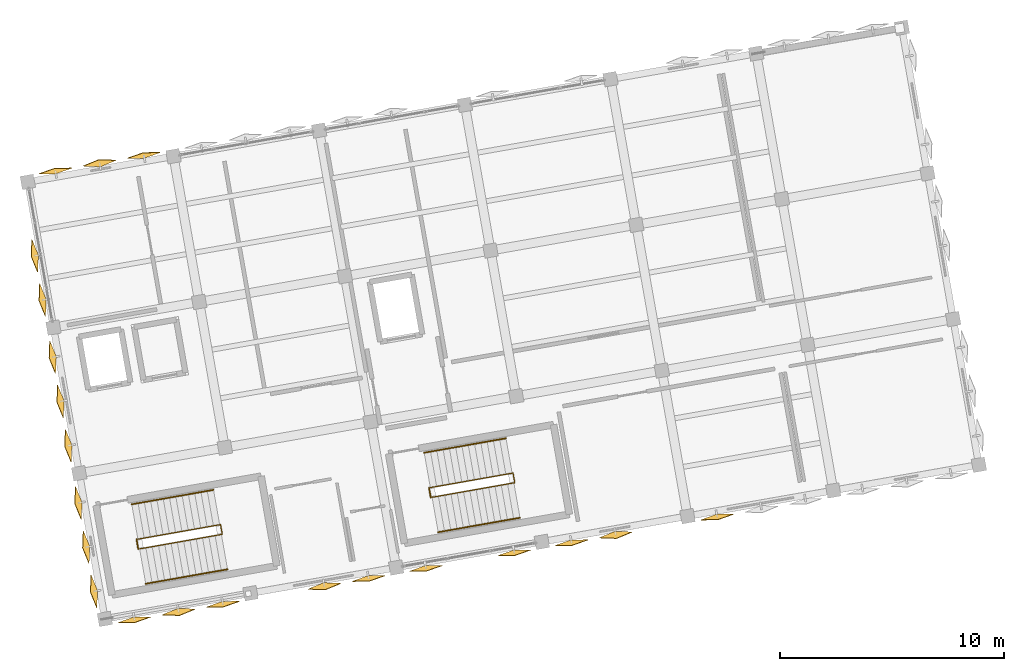
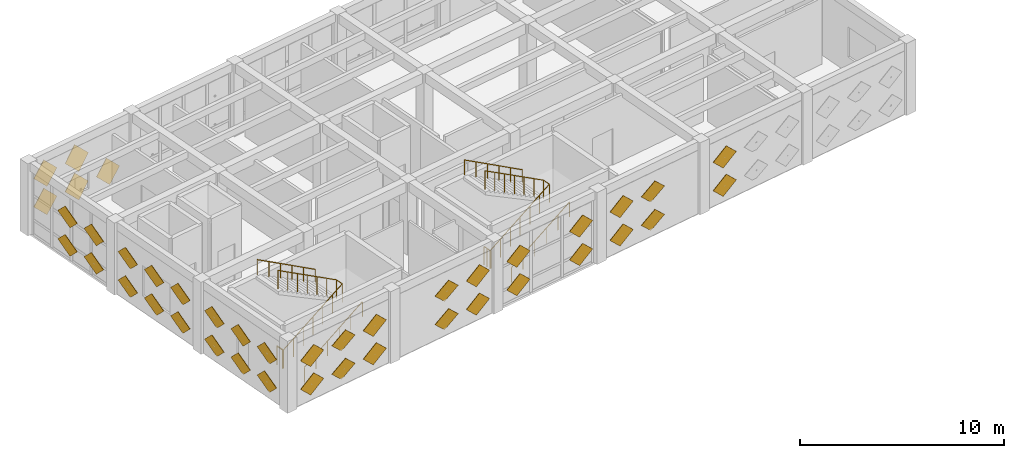
# One storey, part 26 of 29: 41 coverings, 8 railings.
"""IFC4 building model written with IfcOpenShell, lengths in metres."""

import ifcopenshell
import ifcopenshell.guid

model = None  # the IFC model being written
_history = None  # IfcOwnerHistory: only IFC2X3 demands one
_inside = {}  # id of a spatial element -> (the spatial element, [elements in it])
_under = {}  # id of a project, library or spatial element -> (it, [spatial elements below it])
_declared = {}  # id of a project -> (the project, [libraries it declares])
_typed = {}  # id of a type object -> (the type object, [elements of that type])
_made_of = {}  # id of a material, layer set ... -> (it, [elements and type objects made of it])


def new_model(schema):
    """Start an empty IFC model of exactly this schema.

    Asked for "IFC4X3", IfcOpenShell would pick the latest addendum, in which some entities
    have other attributes; the version numbers below select the first issue.
    IFC2X3 requires an IfcOwnerHistory on every rooted entity: one is made here for all.
    """
    global model, _history
    if schema == "IFC4X3":
        model = ifcopenshell.file(schema_version=(4, 3, 0, 0))
    else:
        model = ifcopenshell.file(schema=schema)
    _inside.clear()
    _under.clear()
    _declared.clear()
    _typed.clear()
    _made_of.clear()
    _history = None
    if model.schema == "IFC2X3":
        org = make("IfcOrganization", Name="unknown")
        user = make(
            "IfcPersonAndOrganization",
            ThePerson=make("IfcPerson", FamilyName="unknown"),
            TheOrganization=org,
        )
        app = make(
            "IfcApplication",
            ApplicationDeveloper=org,
            Version="unknown",
            ApplicationFullName="unknown",
            ApplicationIdentifier="unknown",
        )
        _history = make(
            "IfcOwnerHistory",
            OwningUser=user,
            OwningApplication=app,
            ChangeAction="ADDED",
            CreationDate=0,
        )
    return model


def make(cls, **values):
    """One entity of the class cls with the attributes given. An attribute that is None is left unset."""
    return model.create_entity(
        cls, **{name: value for name, value in values.items() if value is not None}
    )


def rooted(cls, **values):
    """An entity with a GlobalId (a new one), such as an element, a storey or a relation."""
    return make(cls, GlobalId=ifcopenshell.guid.new(), OwnerHistory=_history, **values)


def si_unit(unit_type, name, prefix=None):
    """IfcSIUnit, for example si_unit("LENGTHUNIT", "METRE", prefix="MILLI")."""
    return make("IfcSIUnit", UnitType=unit_type, Prefix=prefix, Name=name)


def assignment(units):
    """IfcUnitAssignment: the units of a project."""
    return None if units is None else make("IfcUnitAssignment", Units=units)


def point(xyz):
    """IfcCartesianPoint."""
    return None if xyz is None else make("IfcCartesianPoint", Coordinates=xyz)


def direction(xyz):
    """IfcDirection."""
    return None if xyz is None else make("IfcDirection", DirectionRatios=xyz)


def frame(location, z_axis=None, x_axis=None):
    """IfcAxis2Placement3D, a coordinate frame: its origin and axes. An axis left out is left unset."""
    return make(
        "IfcAxis2Placement3D",
        Location=point(location),
        Axis=direction(z_axis),
        RefDirection=direction(x_axis),
    )


def frame_2d(location, x_axis=None):
    """IfcAxis2Placement2D, a coordinate frame in the plane: its origin and x axis."""
    return make(
        "IfcAxis2Placement2D", Location=point(location), RefDirection=direction(x_axis)
    )


def origin():
    """The frame at (0, 0, 0) with its axes left unset."""
    return frame((0.0, 0.0, 0.0))


def origin_2d():
    """The frame at (0, 0) in the plane with its x axis left unset."""
    return frame_2d((0.0, 0.0))


def place(relative_to, where):
    """IfcLocalPlacement: puts the frame where relative to a parent placement (None: the world)."""
    return make(
        "IfcLocalPlacement", PlacementRelTo=relative_to, RelativePlacement=where
    )


def context(
    kind, dimensions, precision=None, world=None, true_north=None, identifier=None
):
    """IfcGeometricRepresentationContext, for example the 3D "Model" context."""
    return make(
        "IfcGeometricRepresentationContext",
        ContextIdentifier=identifier,
        ContextType=kind,
        CoordinateSpaceDimension=dimensions,
        Precision=precision,
        WorldCoordinateSystem=world,
        TrueNorth=true_north,
    )


def subcontext(parent, identifier, kind, view, scale=None):
    """IfcGeometricRepresentationSubContext, for example "Body" below "Model"."""
    return make(
        "IfcGeometricRepresentationSubContext",
        ContextIdentifier=identifier,
        ContextType=kind,
        ParentContext=parent,
        TargetScale=scale,
        TargetView=view,
    )


def project(units=None, contexts=None):
    """IfcProject with its units and contexts."""
    return rooted(
        "IfcProject",
        Name="project",
        RepresentationContexts=contexts,
        UnitsInContext=assignment(units),
    )


def spatial(cls, under=None, at=None, **own):
    """A site, building, storey or space (cls), placed at a placement, below another one or the project."""
    s = rooted(cls, ObjectPlacement=at, **own)
    if under is not None:
        _under.setdefault(under.id(), (under, []))[1].append(s)
    return s


def polyline(points):
    """IfcPolyline through the points."""
    return make("IfcPolyline", Points=[point(p) for p in points])


def profile(cls, at=None, kind="AREA", **sizes):
    """A parametric profile (cls). Its sizes go by their IFC names, for example OverallWidth=200.0."""
    return make(cls, ProfileType=kind, Position=at, **sizes)


def circle(**sizes):
    """IfcCircleProfileDef."""
    return profile("IfcCircleProfileDef", **sizes)


def outline(outer, holes=None, kind="AREA"):
    """IfcArbitraryClosedProfileDef: a profile drawn as a closed curve; with holes, ...WithVoids."""
    if holes is None:
        return make("IfcArbitraryClosedProfileDef", ProfileType=kind, OuterCurve=outer)
    return make(
        "IfcArbitraryProfileDefWithVoids",
        ProfileType=kind,
        OuterCurve=outer,
        InnerCurves=holes,
    )


def extrude(swept, where, along, depth):
    """IfcExtrudedAreaSolid: the profile swept, set in the frame where, extruded along a direction by depth."""
    return make(
        "IfcExtrudedAreaSolid",
        SweptArea=swept,
        Position=where,
        ExtrudedDirection=direction(along),
        Depth=depth,
    )


def shape(context_of_items, identifier, shape_type, items):
    """IfcShapeRepresentation: the items that make up one representation, for example the "Body"."""
    return make(
        "IfcShapeRepresentation",
        ContextOfItems=context_of_items,
        RepresentationIdentifier=identifier,
        RepresentationType=shape_type,
        Items=items,
    )


def material(Name=None, Category=None):
    """IfcMaterial."""
    return make("IfcMaterial", Name=Name, Category=Category)


def made_of(thing, what):
    """Note that an element or type object is made of a material, layer set ...; save() writes the relation."""
    if what is not None:
        _made_of.setdefault(what.id(), (what, []))[1].append(thing)
    return thing


def type_object(cls, material=None, **own):
    """A type object (cls), such as IfcWallType, which elements share."""
    return made_of(rooted(cls, **own), material)


def element(
    cls,
    number,
    at=None,
    inside=None,
    cuts=None,
    type_object=None,
    material=None,
    context=None,
    identifier="Body",
    shape_type=None,
    held_by="IfcProductDefinitionShape",
    body=None,
    shapes=None,
    **own,
):
    """One element of the class cls, such as IfcWall. Its Tag is "e" and its number.

    at: its placement. inside: the storey or other place that contains it. cuts: it is an
    opening in that element (IfcRelVoidsElement). A single representation is given by context,
    identifier, shape_type and body (its items); several are given by shapes. held_by: the class
    of the entity that holds the representations. save() writes the other relations.
    """
    e = rooted(cls, Tag="e%d" % number, ObjectPlacement=at, **own)
    if body is not None:
        shapes = [shape(context, identifier, shape_type, body)]
    if shapes is not None:
        e.Representation = make(held_by, Representations=shapes)
    if inside is not None:
        _inside.setdefault(inside.id(), (inside, []))[1].append(e)
    if cuts is not None:
        rooted(
            "IfcRelVoidsElement", RelatingBuildingElement=cuts, RelatedOpeningElement=e
        )
    if type_object is not None:
        _typed.setdefault(type_object.id(), (type_object, []))[1].append(e)
    return made_of(e, material)


def aggregate(whole, parts):
    """IfcRelAggregates: a whole, such as a stair, and the parts it consists of."""
    return rooted("IfcRelAggregates", RelatingObject=whole, RelatedObjects=parts)


def save(model, path):
    """Write the relations noted so far, then the file.

    IfcRelAggregates (storeys below a building ...), IfcRelContainedInSpatialStructure (elements
    in a storey), IfcRelDefinesByType, IfcRelAssociatesMaterial and IfcRelDeclares: one each for
    every whole, place, type object, material and project.
    """
    for whole, parts in _under.values():
        aggregate(whole, parts)
    for where, things in _inside.values():
        rooted(
            "IfcRelContainedInSpatialStructure",
            RelatedElements=things,
            RelatingStructure=where,
        )
    for kind, things in _typed.values():
        rooted("IfcRelDefinesByType", RelatedObjects=things, RelatingType=kind)
    for what, things in _made_of.values():
        rooted("IfcRelAssociatesMaterial", RelatedObjects=things, RelatingMaterial=what)
    for by, libraries in _declared.values():
        rooted("IfcRelDeclares", RelatingContext=by, RelatedDefinitions=libraries)
    model.write(path)


model = new_model("IFC4")

# Units and contexts
model_context = context("Model", 3, precision=1e-05, world=origin(), true_north=direction((0.0, 1.0)))
body_context = subcontext(model_context, "Body", "Model", "MODEL_VIEW")
ifc_project = project(units=[si_unit("LENGTHUNIT", "METRE"), si_unit("AREAUNIT", "SQUARE_METRE"), si_unit("VOLUMEUNIT", "CUBIC_METRE"), si_unit("PLANEANGLEUNIT", "RADIAN"), si_unit("MASSUNIT", "GRAM", prefix="KILO")], contexts=[model_context])

# Site, building, storey
site_placement = place(None, origin())
site = spatial("IfcSite", under=ifc_project, at=site_placement, CompositionType="ELEMENT")
building_placement = place(site_placement, origin())
building = spatial("IfcBuilding", under=site, at=building_placement, Name="Kharisveld Research Institute", CompositionType="ELEMENT")
storey_placement = place(building_placement, frame((0.0, 0.0, 32.10009765625)))
storey = spatial("IfcBuildingStorey", under=building, at=storey_placement, Name="L07", CompositionType="ELEMENT", Elevation=32.10009765625)

# Railings
ifc_material_1 = material(Name="Steel S355JR", Category="steel")
railing_type_1 = type_object("IfcRailingType", Name="RL_GRD_STR", PredefinedType="GUARDRAIL", material=ifc_material_1)
railing_1_placement = place(storey_placement, frame((6.75048828125, 38.13671875, 0.0)))
element("IfcRailing", 1, at=railing_1_placement, inside=storey, type_object=railing_type_1, Name="RLG:ST1:L07:GRD_SLOT", PredefinedType="GUARDRAIL", context=body_context, shape_type="SweptSolid", body=[
    extrude(circle(Radius=0.02392578125, at=origin_2d()), frame((0.0, 0.0, 1.09619140625), z_axis=(0.84417332575, 0.148863291176, 0.514986520826), x_axis=(-0.173662611611, 0.984805207809, 0.0)), (0.0, 0.0, 1.0), 4.369140625),
    extrude(circle(Radius=0.02392578125, at=origin_2d()), frame((3.688232421875, 0.650390625, 3.34619140625), z_axis=(-0.173658729201, 0.984805892434, 0.0), x_axis=(-0.984805892434, -0.173658729201, 0.0)), (0.0, 0.0, 1.0), 0.43994140625),
    extrude(circle(Radius=0.02392578125, at=origin_2d()), frame((3.61181640625, 1.083740234375, 3.34619140625), z_axis=(-0.844157266411, -0.148870313632, 0.515010814726), x_axis=(0.173673761132, -0.984803241614, 0.0)), (0.0, 0.0, 1.0), 4.368896484375),
    extrude(circle(Radius=0.02099609375, at=origin_2d()), origin(), (0.0, 0.0, 1.0), 1.072021484375),
    extrude(circle(Radius=0.02099609375, at=origin_2d()), frame((0.61474609375, 0.1083984375, 0.375)), (0.0, 0.0, 1.0), 1.072021484375),
    extrude(circle(Radius=0.02099609375, at=origin_2d()), frame((1.2294921875, 0.216796875, 0.75)), (0.0, 0.0, 1.0), 1.072021484375),
    extrude(circle(Radius=0.02099609375, at=origin_2d()), frame((1.84423828125, 0.3251953125, 1.125)), (0.0, 0.0, 1.0), 1.072021484375),
    extrude(circle(Radius=0.02099609375, at=origin_2d()), frame((2.458740234375, 0.43359375, 1.5)), (0.0, 0.0, 1.0), 1.072021484375),
    extrude(circle(Radius=0.02099609375, at=origin_2d()), frame((3.073486328125, 0.5419921875, 1.875)), (0.0, 0.0, 1.0), 1.072021484375),
    extrude(circle(Radius=0.02099609375, at=origin_2d()), frame((3.688232421875, 0.650390625, 2.25)), (0.0, 0.0, 1.0), 1.072021484375),
    extrude(circle(Radius=0.02099609375, at=origin_2d()), frame((3.61181640625, 1.083740234375, 2.25)), (0.0, 0.0, 1.0), 1.072021484375),
    extrude(circle(Radius=0.02099609375, at=origin_2d()), frame((2.9970703125, 0.975341796875, 2.625)), (0.0, 0.0, 1.0), 1.072021484375),
    extrude(circle(Radius=0.02099609375, at=origin_2d()), frame((2.382568359375, 0.866943359375, 3.0)), (0.0, 0.0, 1.0), 1.072021484375),
    extrude(circle(Radius=0.02099609375, at=origin_2d()), frame((1.767822265625, 0.758544921875, 3.375)), (0.0, 0.0, 1.0), 1.072021484375),
    extrude(circle(Radius=0.02099609375, at=origin_2d()), frame((1.153076171875, 0.650146484375, 3.75)), (0.0, 0.0, 1.0), 1.072021484375),
    extrude(circle(Radius=0.02099609375, at=origin_2d()), frame((0.53857421875, 0.541748046875, 4.125)), (0.0, 0.0, 1.0), 1.072021484375),
    extrude(circle(Radius=0.02099609375, at=origin_2d()), frame((-0.076171875, 0.433349609375, 4.5)), (0.0, 0.0, 1.0), 1.072021484375),
])
railing_2_placement = place(storey_placement, frame((6.69140625, 38.12646484375, 0.0)))
element("IfcRailing", 2, at=railing_2_placement, inside=storey, type_object=railing_type_1, Name="RLG:ST1:L07:GRD_FLRSLOT", PredefinedType="GUARDRAIL", context=body_context, shape_type="SweptSolid", body=[
    extrude(circle(Radius=0.02392578125, at=origin_2d()), frame((0.0, 0.0, 1.09619140625), z_axis=(-0.173753665698, 0.984789146801, 0.0), x_axis=(-0.984789146801, -0.173753665698, 0.0)), (0.0, 0.0, 1.0), 0.439697265625),
    extrude(circle(Radius=0.02099609375, at=origin_2d()), origin(), (0.0, 0.0, 1.0), 1.072021484375),
    extrude(circle(Radius=0.02099609375, at=origin_2d()), frame((-0.076416015625, 0.43310546875, 0.0)), (0.0, 0.0, 1.0), 1.072021484375),
])
railing_3_placement = place(storey_placement, frame((19.79931640625, 40.4375, 0.0)))
element("IfcRailing", 3, at=railing_3_placement, inside=storey, type_object=railing_type_1, Name="RLG:ST2:L07:GRD_SLOT", PredefinedType="GUARDRAIL", context=body_context, shape_type="SweptSolid", body=[
    extrude(circle(Radius=0.02392578125, at=origin_2d()), frame((0.0, 0.0, 1.09619140625), z_axis=(0.844157266411, 0.148870313632, 0.515010814726), x_axis=(-0.173673761132, 0.984803241614, 0.0)), (0.0, 0.0, 1.0), 4.368896484375),
    extrude(circle(Radius=0.02392578125, at=origin_2d()), frame((3.68798828125, 0.650390625, 3.34619140625), z_axis=(-0.173658729201, 0.984805892434, 0.0), x_axis=(-0.984805892434, -0.173658729201, 0.0)), (0.0, 0.0, 1.0), 0.43994140625),
    extrude(circle(Radius=0.02392578125, at=origin_2d()), frame((3.611572265625, 1.083740234375, 3.34619140625), z_axis=(-0.844157266411, -0.148870313632, 0.515010814726), x_axis=(0.173673761132, -0.984803241614, 0.0)), (0.0, 0.0, 1.0), 4.368896484375),
    extrude(circle(Radius=0.02099609375, at=origin_2d()), origin(), (0.0, 0.0, 1.0), 1.072021484375),
    extrude(circle(Radius=0.02099609375, at=origin_2d()), frame((0.61474609375, 0.1083984375, 0.375)), (0.0, 0.0, 1.0), 1.072021484375),
    extrude(circle(Radius=0.02099609375, at=origin_2d()), frame((1.229248046875, 0.216796875, 0.75)), (0.0, 0.0, 1.0), 1.072021484375),
    extrude(circle(Radius=0.02099609375, at=origin_2d()), frame((1.843994140625, 0.3251953125, 1.125)), (0.0, 0.0, 1.0), 1.072021484375),
    extrude(circle(Radius=0.02099609375, at=origin_2d()), frame((2.458740234375, 0.43359375, 1.5)), (0.0, 0.0, 1.0), 1.072021484375),
    extrude(circle(Radius=0.02099609375, at=origin_2d()), frame((3.0732421875, 0.5419921875, 1.875)), (0.0, 0.0, 1.0), 1.072021484375),
    extrude(circle(Radius=0.02099609375, at=origin_2d()), frame((3.68798828125, 0.650390625, 2.25)), (0.0, 0.0, 1.0), 1.072021484375),
    extrude(circle(Radius=0.02099609375, at=origin_2d()), frame((3.611572265625, 1.083740234375, 2.25)), (0.0, 0.0, 1.0), 1.072021484375),
    extrude(circle(Radius=0.02099609375, at=origin_2d()), frame((2.996826171875, 0.975341796875, 2.625)), (0.0, 0.0, 1.0), 1.072021484375),
    extrude(circle(Radius=0.02099609375, at=origin_2d()), frame((2.38232421875, 0.866943359375, 3.0)), (0.0, 0.0, 1.0), 1.072021484375),
    extrude(circle(Radius=0.02099609375, at=origin_2d()), frame((1.767578125, 0.758544921875, 3.375)), (0.0, 0.0, 1.0), 1.072021484375),
    extrude(circle(Radius=0.02099609375, at=origin_2d()), frame((1.15283203125, 0.650146484375, 3.75)), (0.0, 0.0, 1.0), 1.072021484375),
    extrude(circle(Radius=0.02099609375, at=origin_2d()), frame((0.538330078125, 0.541748046875, 4.125)), (0.0, 0.0, 1.0), 1.072021484375),
    extrude(circle(Radius=0.02099609375, at=origin_2d()), frame((-0.076416015625, 0.433349609375, 4.5)), (0.0, 0.0, 1.0), 1.072021484375),
])
railing_4_placement = place(storey_placement, frame((19.740234375, 40.42724609375, 0.0)))
element("IfcRailing", 4, at=railing_4_placement, inside=storey, type_object=railing_type_1, Name="RLG:ST2:L07:GRD_FLRSLOT", PredefinedType="GUARDRAIL", context=body_context, shape_type="SweptSolid", body=[
    extrude(circle(Radius=0.02392578125, at=origin_2d()), frame((0.0, 0.0, 1.09619140625), z_axis=(-0.173658729201, 0.984805892434, 0.0), x_axis=(-0.984805892434, -0.173658729201, 0.0)), (0.0, 0.0, 1.0), 0.43994140625),
    extrude(circle(Radius=0.02099609375, at=origin_2d()), origin(), (0.0, 0.0, 1.0), 1.072021484375),
    extrude(circle(Radius=0.02099609375, at=origin_2d()), frame((-0.0380859375, 0.216796875, 0.0)), (0.0, 0.0, 1.0), 1.072021484375),
    extrude(circle(Radius=0.02099609375, at=origin_2d()), frame((-0.076416015625, 0.433349609375, 0.0)), (0.0, 0.0, 1.0), 1.072021484375),
])
ifc_material_2 = material(Name="Stainless Steel 316", Category="steel")
railing_type_2 = type_object("IfcRailingType", Name="RL_HND_STR", PredefinedType="HANDRAIL", material=ifc_material_2)
railing_5_placement = place(storey_placement, frame((7.02490234375, 36.580810546875, 0.0)))
element("IfcRailing", 5, at=railing_5_placement, inside=storey, type_object=railing_type_2, Name="RLG:ST1:L07:HR1", PredefinedType="HANDRAIL", context=body_context, shape_type="SweptSolid", body=[
    extrude(circle(Radius=0.02392578125, at=origin_2d()), frame((0.0, 0.0, 0.89599609375), z_axis=(0.841746897377, 0.148411045473, 0.519072559801), x_axis=(-0.173634966033, 0.984810082488, 0.0)), (0.0, 0.0, 1.0), 4.334716796875),
    extrude(circle(Radius=0.02099609375, at=origin_2d()), origin(), (0.0, 0.0, 1.0), 0.871826171875),
    extrude(circle(Radius=0.02099609375, at=origin_2d()), frame((0.729736328125, 0.128662109375, 0.449951171875)), (0.0, 0.0, 1.0), 0.871826171875),
    extrude(circle(Radius=0.02099609375, at=origin_2d()), frame((1.45947265625, 0.25732421875, 0.89990234375)), (0.0, 0.0, 1.0), 0.871826171875),
    extrude(circle(Radius=0.02099609375, at=origin_2d()), frame((2.189208984375, 0.385986328125, 1.35009765625)), (0.0, 0.0, 1.0), 0.871826171875),
    extrude(circle(Radius=0.02099609375, at=origin_2d()), frame((2.9189453125, 0.5146484375, 1.800048828125)), (0.0, 0.0, 1.0), 0.871826171875),
    extrude(circle(Radius=0.02099609375, at=origin_2d()), frame((3.648681640625, 0.643310546875, 2.25)), (0.0, 0.0, 1.0), 0.871826171875),
])
railing_6_placement = place(storey_placement, frame((10.048583984375, 40.76953125, 2.25)))
element("IfcRailing", 6, at=railing_6_placement, inside=storey, type_object=railing_type_2, Name="RLG:ST1:L07:HR2", PredefinedType="HANDRAIL", context=body_context, shape_type="SweptSolid", body=[
    extrude(circle(Radius=0.02392578125, at=origin_2d()), frame((0.0, 0.0, 0.89599609375), z_axis=(-0.841739860008, -0.148466127198, 0.519068220129), x_axis=(0.173698873865, -0.984798812559, 0.0)), (0.0, 0.0, 1.0), 4.334716796875),
    extrude(circle(Radius=0.02099609375, at=origin_2d()), origin(), (0.0, 0.0, 1.0), 0.871826171875),
    extrude(circle(Radius=0.02099609375, at=origin_2d()), frame((-0.729736328125, -0.128662109375, 0.449951171875)), (0.0, 0.0, 1.0), 0.871826171875),
    extrude(circle(Radius=0.02099609375, at=origin_2d()), frame((-1.45947265625, -0.25732421875, 0.89990234375)), (0.0, 0.0, 1.0), 0.871826171875),
    extrude(circle(Radius=0.02099609375, at=origin_2d()), frame((-2.189208984375, -0.38623046875, 1.35009765625)), (0.0, 0.0, 1.0), 0.871826171875),
    extrude(circle(Radius=0.02099609375, at=origin_2d()), frame((-2.9189453125, -0.514892578125, 1.800048828125)), (0.0, 0.0, 1.0), 0.871826171875),
    extrude(circle(Radius=0.02099609375, at=origin_2d()), frame((-3.648681640625, -0.6435546875, 2.25)), (0.0, 0.0, 1.0), 0.871826171875),
])
railing_7_placement = place(storey_placement, frame((20.07373046875, 38.881591796875, 0.0)))
element("IfcRailing", 7, at=railing_7_placement, inside=storey, type_object=railing_type_2, Name="RLG:ST2:L07:HR1", PredefinedType="HANDRAIL", context=body_context, shape_type="SweptSolid", body=[
    extrude(circle(Radius=0.02392578125, at=origin_2d()), frame((0.0, 0.0, 0.89599609375), z_axis=(0.841746897377, 0.148411045473, 0.519072559801), x_axis=(-0.173634966033, 0.984810082488, 0.0)), (0.0, 0.0, 1.0), 4.334716796875),
    extrude(circle(Radius=0.02099609375, at=origin_2d()), origin(), (0.0, 0.0, 1.0), 0.871826171875),
    extrude(circle(Radius=0.02099609375, at=origin_2d()), frame((0.729736328125, 0.128662109375, 0.449951171875)), (0.0, 0.0, 1.0), 0.871826171875),
    extrude(circle(Radius=0.02099609375, at=origin_2d()), frame((1.45947265625, 0.25732421875, 0.89990234375)), (0.0, 0.0, 1.0), 0.871826171875),
    extrude(circle(Radius=0.02099609375, at=origin_2d()), frame((2.189208984375, 0.385986328125, 1.35009765625)), (0.0, 0.0, 1.0), 0.871826171875),
    extrude(circle(Radius=0.02099609375, at=origin_2d()), frame((2.9189453125, 0.5146484375, 1.800048828125)), (0.0, 0.0, 1.0), 0.871826171875),
    extrude(circle(Radius=0.02099609375, at=origin_2d()), frame((3.648681640625, 0.643310546875, 2.25)), (0.0, 0.0, 1.0), 0.871826171875),
])
railing_8_placement = place(storey_placement, frame((23.09716796875, 43.0703125, 2.25)))
element("IfcRailing", 8, at=railing_8_placement, inside=storey, type_object=railing_type_2, Name="RLG:ST2:L07:HR2", PredefinedType="HANDRAIL", context=body_context, shape_type="SweptSolid", body=[
    extrude(circle(Radius=0.02392578125, at=origin_2d()), frame((0.0, 0.0, 0.89599609375), z_axis=(-0.841746897377, -0.148411045473, 0.519072559801), x_axis=(0.173634966033, -0.984810082488, 0.0)), (0.0, 0.0, 1.0), 4.334716796875),
    extrude(circle(Radius=0.02099609375, at=origin_2d()), origin(), (0.0, 0.0, 1.0), 0.871826171875),
    extrude(circle(Radius=0.02099609375, at=origin_2d()), frame((-0.729736328125, -0.128662109375, 0.449951171875)), (0.0, 0.0, 1.0), 0.871826171875),
    extrude(circle(Radius=0.02099609375, at=origin_2d()), frame((-1.45947265625, -0.25732421875, 0.89990234375)), (0.0, 0.0, 1.0), 0.871826171875),
    extrude(circle(Radius=0.02099609375, at=origin_2d()), frame((-2.189208984375, -0.385986328125, 1.35009765625)), (0.0, 0.0, 1.0), 0.871826171875),
    extrude(circle(Radius=0.02099609375, at=origin_2d()), frame((-2.9189453125, -0.5146484375, 1.800048828125)), (0.0, 0.0, 1.0), 0.871826171875),
    extrude(circle(Radius=0.02099609375, at=origin_2d()), frame((-3.648681640625, -0.643310546875, 2.25)), (0.0, 0.0, 1.0), 0.871826171875),
])

# Coverings
ifc_material_3 = material(Name="White Powder-Coated Perforated Aluminium", Category="aluminium")
covering_type = type_object("IfcCoveringType", Name="CV_DIA_105", PredefinedType="CLADDING")
for number, where, z_axis, x_axis, name in (
    (9, (4.876953125, 36.269775390625, 0.324951171875), (0.961476347302, 0.169530643305, 0.21638529192), (-0.273471090272, 0.669725119033, 0.690421485559), "SHD:V1:L07:W0:S0C0"),
    (10, (4.876953125, 36.269775390625, 2.025146484375), (0.961476347302, 0.169530643305, 0.21638529192), (-0.273471090272, 0.669725119033, 0.690421485559), "SHD:V1:L07:W0:S0C1"),
    (11, (4.529052734375, 38.24267578125, 0.324951171875), (0.961476347302, 0.169530643305, 0.21638529192), (-0.273471090272, 0.669725119033, 0.690421485559), "SHD:V1:L07:W0:S1C0"),
    (12, (4.529052734375, 38.24267578125, 2.025146484375), (0.961476347302, 0.169530643305, 0.21638529192), (-0.273471090272, 0.669725119033, 0.690421485559), "SHD:V1:L07:W0:S1C1"),
):
    element("IfcCovering", number, at=place(storey_placement, frame(where, z_axis=z_axis, x_axis=x_axis)), inside=storey, type_object=covering_type, material=ifc_material_3, Name=name, PredefinedType="CLADDING", context=body_context, shape_type="SweptSolid", body=[
        extrude(outline(polyline([(0.0, 0.0), (1.0498710291992122, 0.0), (1.0499937163043682, 1.0499534820137317), (0.00012268710515594972, 1.049953482013732), (0.0, 0.0)])), origin(), (0.0, 0.0, -1.0), 0.02392578125),
    ])
for number, where, z_axis, x_axis, name in (
    (13, (4.181396484375, 40.215576171875, 0.324951171875), (0.961442649282, 0.16952470156, 0.216539621552), (-0.273578752319, 0.669701468459, 0.690401773914), "SHD:V1:L07:W0:S2C0"),
    (14, (4.181396484375, 40.215576171875, 2.025146484375), (0.961442649282, 0.16952470156, 0.216539621552), (-0.273578752319, 0.669701468459, 0.690401773914), "SHD:V1:L07:W0:S2C1"),
):
    element("IfcCovering", number, at=place(storey_placement, frame(where, z_axis=z_axis, x_axis=x_axis)), inside=storey, type_object=covering_type, material=ifc_material_3, Name=name, PredefinedType="CLADDING", context=body_context, shape_type="SweptSolid", body=[
        extrude(outline(polyline([(0.0, 0.0), (1.0499378143046156, 0.0), (1.0500673190877523, 1.04995347463551), (0.0001962964707143966, 1.0499603048962165), (0.0, 0.0)])), origin(), (0.0, 0.0, -1.0), 0.02392578125),
    ])
for number, where, z_axis, x_axis, name in (
    (15, (3.73095703125, 42.76953125, 0.324951171875), (0.961481187298, 0.169503194288, 0.216385289699), (-0.273452141042, 0.669728459805, 0.690425750307), "SHD:V1:L07:W1:S0C0"),
    (16, (3.73095703125, 42.76953125, 2.025146484375), (0.961481187298, 0.169503194288, 0.216385289699), (-0.273452141042, 0.669728459805, 0.690425750307), "SHD:V1:L07:W1:S0C1"),
    (17, (3.383056640625, 44.742431640625, 0.324951171875), (0.961481187298, 0.169503194288, 0.216385289699), (-0.273452141042, 0.669728459805, 0.690425750307), "SHD:V1:L07:W1:S1C0"),
    (18, (3.383056640625, 44.742431640625, 2.025146484375), (0.961481187298, 0.169503194288, 0.216385289699), (-0.273452141042, 0.669728459805, 0.690425750307), "SHD:V1:L07:W1:S1C1"),
    (19, (3.03515625, 46.71533203125, 0.324951171875), (0.961481187298, 0.169503194288, 0.216385289699), (-0.273452141042, 0.669728459805, 0.690425750307), "SHD:V1:L07:W1:S2C0"),
    (20, (3.03515625, 46.71533203125, 2.025146484375), (0.961481187298, 0.169503194288, 0.216385289699), (-0.273452141042, 0.669728459805, 0.690425750307), "SHD:V1:L07:W1:S2C1"),
):
    element("IfcCovering", number, at=place(storey_placement, frame(where, z_axis=z_axis, x_axis=x_axis)), inside=storey, type_object=covering_type, material=ifc_material_3, Name=name, PredefinedType="CLADDING", context=body_context, shape_type="SweptSolid", body=[
        extrude(outline(polyline([(0.0, 0.0), (1.0498710289953155, -1.1102230246251565e-16), (1.0499937165082887, 1.0499534818098035), (-4.082041178410378e-05, 1.0501299960653954), (0.0, 0.0)])), origin(), (0.0, 0.0, -1.0), 0.02392578125),
    ])
for number, where, z_axis, x_axis, name in (
    (21, (2.5849609375, 49.269287109375, 0.324951171875), (0.961420032054, 0.169652917176, 0.216539626071), (-0.273667258538, 0.669685861016, 0.690381835769), "SHD:V1:L07:W2:S0C0"),
    (22, (2.5849609375, 49.269287109375, 2.025146484375), (0.961420032054, 0.169652917176, 0.216539626071), (-0.273667258538, 0.669685861016, 0.690381835769), "SHD:V1:L07:W2:S0C1"),
    (23, (2.237060546875, 51.2421875, 0.324951171875), (0.961420032054, 0.169652917176, 0.216539626071), (-0.273667258538, 0.669685861016, 0.690381835769), "SHD:V1:L07:W2:S1C0"),
    (24, (2.237060546875, 51.2421875, 2.025146484375), (0.961420032054, 0.169652917176, 0.216539626071), (-0.273667258538, 0.669685861016, 0.690381835769), "SHD:V1:L07:W2:S1C1"),
):
    element("IfcCovering", number, at=place(storey_placement, frame(where, z_axis=z_axis, x_axis=x_axis)), inside=storey, type_object=covering_type, material=ifc_material_3, Name=name, PredefinedType="CLADDING", context=body_context, shape_type="SweptSolid", body=[
        extrude(outline(polyline([(0.0, 0.0), (1.0499378206599106, 0.0), (1.0500673127316735, 1.0499534809922781), (-3.40054528989997e-05, 1.0501299963078314), (0.0, 0.0)])), origin(), (0.0, 0.0, -1.0), 0.02392578125),
    ])
covering_1_placement = place(storey_placement, frame((3.014892578125, 54.86962890625, 0.317626953125), z_axis=(0.171234061711, -0.9712992705, 0.165095800177), x_axis=(0.676173830196, 0.2377336742, 0.697331808761)))
element("IfcCovering", 25, at=covering_1_placement, inside=storey, type_object=covering_type, material=ifc_material_3, Name="SHD:V1:L07:N0:S0C0", PredefinedType="CLADDING", context=body_context, shape_type="SweptSolid", body=[
    extrude(outline(polyline([(0.0, 0.0), (1.0500032083471293, -1.1102230246251565e-16), (1.0499897163291267, 1.0500851186270816), (-0.00012569859382338677, 1.049912938756706), (0.0, 0.0)])), origin(), (0.0, 0.0, -1.0), 0.02392578125),
])
covering_2_placement = place(storey_placement, frame((3.014892578125, 54.86962890625, 2.017578125), z_axis=(0.171234061711, -0.9712992705, 0.165095800177), x_axis=(0.676057632461, 0.237732410628, 0.697444892825)))
element("IfcCovering", 26, at=covering_2_placement, inside=storey, type_object=covering_type, material=ifc_material_3, Name="SHD:V1:L07:N0:S0C1", PredefinedType="CLADDING", context=body_context, shape_type="SweptSolid", body=[
    extrude(outline(polyline([(0.0, 0.0), (1.050173469176079, 1.1102230246251565e-16), (1.0501599702440891, 1.049914852574201), (0.0002148158393612265, 1.050083199772804), (0.0, 0.0)])), origin(), (0.0, 0.0, -1.0), 0.02392578125),
])
for number, where, z_axis, x_axis, name in (
    (27, (4.994384765625, 55.179931640625, 0.324951171875), (0.169497253476, -0.961447488939, 0.216539620108), (0.669826337005, 0.273555095257, 0.690290002907), "SHD:V1:L07:N0:S1C0"),
    (28, (4.994384765625, 55.179931640625, 2.025146484375), (0.169497253476, -0.961447488939, 0.216539620108), (0.669826337005, 0.273555095257, 0.690290002907), "SHD:V1:L07:N0:S1C1"),
):
    element("IfcCovering", number, at=place(storey_placement, frame(where, z_axis=z_axis, x_axis=x_axis)), inside=storey, type_object=covering_type, material=ifc_material_3, Name=name, PredefinedType="CLADDING", context=body_context, shape_type="SweptSolid", body=[
        extrude(outline(polyline([(0.0, 0.0), (1.0501013287743868, 0.0), (1.0498908116789152, 1.0501299715118642), (1.9800637014233402e-05, 1.0499603251677767), (0.0, 0.0)])), origin(), (0.0, 0.0, -1.0), 0.02392578125),
    ])
covering_3_placement = place(storey_placement, frame((6.960693359375, 55.5654296875, 0.317626953125), z_axis=(0.171391321025, -0.971271535422, 0.16509578903), x_axis=(0.676154491616, 0.237843352225, 0.697313160116)))
element("IfcCovering", 29, at=covering_3_placement, inside=storey, type_object=covering_type, material=ifc_material_3, Name="SHD:V1:L07:N0:S2C0", PredefinedType="CLADDING", context=body_context, shape_type="SweptSolid", body=[
    extrude(outline(polyline([(0.0, 0.0), (1.050003217317155, -1.1102230246251565e-16), (1.0499897073592166, 1.0500851275961767), (-0.00018375242866985886, 1.0499148410000858), (0.0, 0.0)])), origin(), (0.0, 0.0, -1.0), 0.02392578125),
])
covering_4_placement = place(storey_placement, frame((32.499755859375, 39.68408203125, 0.317626953125), z_axis=(-0.171234061711, 0.9712992705, 0.165095800177), x_axis=(-0.676172534966, -0.237733660148, 0.69733306948)))
element("IfcCovering", 30, at=covering_4_placement, inside=storey, type_object=covering_type, material=ifc_material_3, Name="SHD:V1:L07:S5:S2C0", PredefinedType="CLADDING", context=body_context, shape_type="SweptSolid", body=[
    extrude(outline(polyline([(0.0, 0.0), (1.049945167901042, 2.220446049250313e-16), (1.0499916144071415, 1.0500832207180806), (-0.0001818412696886762, 1.0499148369138707), (0.0, 0.0)])), origin(), (0.0, 0.0, -1.0), 0.02392578125),
])
covering_5_placement = place(storey_placement, frame((32.499755859375, 39.68408203125, 2.017578125), z_axis=(-0.171234061711, 0.9712992705, 0.165095800177), x_axis=(-0.67605633082, -0.237732396439, 0.697446159385)))
element("IfcCovering", 31, at=covering_5_placement, inside=storey, type_object=covering_type, material=ifc_material_3, Name="SHD:V1:L07:S5:S2C1", PredefinedType="CLADDING", context=body_context, shape_type="SweptSolid", body=[
    extrude(outline(polyline([(0.0, 0.0), (1.050115429038497, -1.1102230246251565e-16), (1.0501618771158647, 1.0499129452537745), (0.00015868288277420817, 1.050085106724131), (0.0, 0.0)])), origin(), (0.0, 0.0, -1.0), 0.02392578125),
])
for number, where, z_axis, x_axis, name in (
    (32, (27.96630859375, 38.923583984375, 0.324951171875), (-0.169497253476, 0.961447488939, 0.216539620108), (-0.669826337005, -0.273555095257, 0.690290002907), "SHD:V1:L07:S4:S1C0"),
    (33, (27.96630859375, 38.923583984375, 2.025146484375), (-0.169497253476, 0.961447488939, 0.216539620108), (-0.669826337005, -0.273555095257, 0.690290002907), "SHD:V1:L07:S4:S1C1"),
):
    element("IfcCovering", number, at=place(storey_placement, frame(where, z_axis=z_axis, x_axis=x_axis)), inside=storey, type_object=covering_type, material=ifc_material_3, Name=name, PredefinedType="CLADDING", context=body_context, shape_type="SweptSolid", body=[
        extrude(outline(polyline([(0.0, 0.0), (1.0501013287743868, 0.0), (1.0498908116789152, 1.0501299715118642), (1.9800637014233402e-05, 1.0499603251677767), (0.0, 0.0)])), origin(), (0.0, 0.0, -1.0), 0.02392578125),
    ])
covering_6_placement = place(storey_placement, frame((26.0, 38.5380859375, 0.317626953125), z_axis=(-0.171391321025, 0.971271535422, 0.16509578903), x_axis=(-0.676154491616, -0.237843352225, 0.697313160116)))
element("IfcCovering", 34, at=covering_6_placement, inside=storey, type_object=covering_type, material=ifc_material_3, Name="SHD:V1:L07:S4:S2C0", PredefinedType="CLADDING", context=body_context, shape_type="SweptSolid", body=[
    extrude(outline(polyline([(0.0, 0.0), (1.050003217317155, -1.1102230246251565e-16), (1.0499897073592166, 1.0500851275961767), (-0.00018375242866985886, 1.0499148410000858), (0.0, 0.0)])), origin(), (0.0, 0.0, -1.0), 0.02392578125),
])
covering_7_placement = place(storey_placement, frame((26.0, 38.5380859375, 2.017578125), z_axis=(-0.171391321025, 0.971271535422, 0.16509578903), x_axis=(-0.676038293912, -0.237842070836, 0.697426250226)))
element("IfcCovering", 35, at=covering_7_placement, inside=storey, type_object=covering_type, material=ifc_material_3, Name="SHD:V1:L07:S4:S2C1", PredefinedType="CLADDING", context=body_context, shape_type="SweptSolid", body=[
    extrude(outline(polyline([(0.0, 0.0), (1.0501734735939505, -1.1102230246251565e-16), (1.0501599658262741, 1.049914856993047), (0.00015676231294525778, 1.0500851159819262), (0.0, 0.0)])), origin(), (0.0, 0.0, -1.0), 0.02392578125),
])
covering_8_placement = place(storey_placement, frame((23.446044921875, 38.087646484375, 0.317626953125), z_axis=(-0.171237830585, 0.971320648866, 0.164966064583), x_axis=(-0.676188457252, -0.237643325501, 0.697348420894)))
element("IfcCovering", 36, at=covering_8_placement, inside=storey, type_object=covering_type, material=ifc_material_3, Name="SHD:V1:L07:S3:S0C0", PredefinedType="CLADDING", context=body_context, shape_type="SweptSolid", body=[
    extrude(outline(polyline([(0.0, 0.0), (1.0499451725130124, 0.0), (1.0497685064748128, 1.0502600664649298), (-0.00018183204494859329, 1.0499148415275723), (0.0, 0.0)])), origin(), (0.0, 0.0, -1.0), 0.02392578125),
])
covering_9_placement = place(storey_placement, frame((23.446044921875, 38.087646484375, 2.017578125), z_axis=(-0.171237830585, 0.971320648866, 0.164966064583), x_axis=(-0.676072253132, -0.237642047114, 0.697461515776)))
element("IfcCovering", 37, at=covering_9_placement, inside=storey, type_object=covering_type, material=ifc_material_3, Name="SHD:V1:L07:S3:S0C1", PredefinedType="CLADDING", context=body_context, shape_type="SweptSolid", body=[
    extrude(outline(polyline([(0.0, 0.0), (1.0501154373989794, 0.0), (1.0499388016086548, 1.0500898234312432), (0.00015869960247516524, 1.0500851150823278), (0.0, 0.0)])), origin(), (0.0, 0.0, -1.0), 0.02392578125),
])
covering_10_placement = place(storey_placement, frame((19.500244140625, 37.391845703125, 0.317626953125), z_axis=(-0.171237830585, 0.971320648866, 0.164966064583), x_axis=(-0.676188457252, -0.237643325501, 0.697348420894)))
element("IfcCovering", 38, at=covering_10_placement, inside=storey, type_object=covering_type, material=ifc_material_3, Name="SHD:V1:L07:S3:S2C0", PredefinedType="CLADDING", context=body_context, shape_type="SweptSolid", body=[
    extrude(outline(polyline([(0.0, 0.0), (1.0499451725130124, 0.0), (1.0497685064748128, 1.0502600664649298), (-0.00018183204494859329, 1.0499148415275723), (0.0, 0.0)])), origin(), (0.0, 0.0, -1.0), 0.02392578125),
])
covering_11_placement = place(storey_placement, frame((19.500244140625, 37.391845703125, 2.017578125), z_axis=(-0.171237830585, 0.971320648866, 0.164966064583), x_axis=(-0.676072253132, -0.237642047114, 0.697461515776)))
element("IfcCovering", 39, at=covering_11_placement, inside=storey, type_object=covering_type, material=ifc_material_3, Name="SHD:V1:L07:S3:S2C1", PredefinedType="CLADDING", context=body_context, shape_type="SweptSolid", body=[
    extrude(outline(polyline([(0.0, 0.0), (1.0501154373989794, 0.0), (1.0499388016086548, 1.0500898234312432), (0.00015869960247516524, 1.0500851150823278), (0.0, 0.0)])), origin(), (0.0, 0.0, -1.0), 0.02392578125),
])
covering_12_placement = place(storey_placement, frame((16.9462890625, 36.941650390625, 0.317626953125), z_axis=(-0.17141826563, 0.971262055685, 0.16512358219), x_axis=(-0.676028250199, -0.237880744136, 0.697422796087)))
element("IfcCovering", 40, at=covering_12_placement, inside=storey, type_object=covering_type, material=ifc_material_3, Name="SHD:V1:L07:S2:S0C0", PredefinedType="CLADDING", context=body_context, shape_type="SweptSolid", body=[
    extrude(outline(polyline([(0.0, 0.0), (1.049838156749349, 0.0), (1.0499996254623536, 1.0500851152687174), (-8.800524321395109e-06, 1.0499148570429913), (0.0, 0.0)])), origin(), (0.0, 0.0, -1.0), 0.02392578125),
])
covering_13_placement = place(storey_placement, frame((16.9462890625, 36.941650390625, 2.017578125), z_axis=(-0.17141826563, 0.971262055685, 0.16512358219), x_axis=(-0.675912035328, -0.237879456331, 0.697535866285)))
element("IfcCovering", 41, at=covering_13_placement, inside=storey, type_object=covering_type, material=ifc_material_3, Name="SHD:V1:L07:S2:S0C1", PredefinedType="CLADDING", context=body_context, shape_type="SweptSolid", body=[
    extrude(outline(polyline([(0.0, 0.0), (1.050008439790309, 0.0), (1.0501698823174443, 1.0499148446675877), (0.00033173936949015825, 1.050085075282023), (0.0, 0.0)])), origin(), (0.0, 0.0, -1.0), 0.02392578125),
])
for number, where, z_axis, x_axis, name in (
    (42, (14.966796875, 36.63134765625, 0.324951171875), (-0.16952470156, 0.961442649282, 0.216539621552), (-0.66970617229, -0.273578570302, 0.690397283213), "SHD:V1:L07:S2:S1C0"),
    (43, (14.966796875, 36.63134765625, 2.025146484375), (-0.16952470156, 0.961442649282, 0.216539621552), (-0.66970617229, -0.273578570302, 0.690397283213), "SHD:V1:L07:S2:S1C1"),
):
    element("IfcCovering", number, at=place(storey_placement, frame(where, z_axis=z_axis, x_axis=x_axis)), inside=storey, type_object=covering_type, material=ifc_material_3, Name=name, PredefinedType="CLADDING", context=body_context, shape_type="SweptSolid", body=[
        extrude(outline(polyline([(0.0, 0.0), (1.0498710226392558, 0.0), (1.0500604882684064, 1.0499603061510638), (0.00012267398601040203, 1.0499534754558235), (0.0, 0.0)])), origin(), (0.0, 0.0, -1.0), 0.02392578125),
    ])
covering_14_placement = place(storey_placement, frame((10.446533203125, 35.795654296875, 0.317626953125), z_axis=(-0.171260983897, 0.971289803558, 0.165123568578), x_axis=(-0.676047594671, -0.237771051008, 0.69744145062)))
element("IfcCovering", 44, at=covering_14_placement, inside=storey, type_object=covering_type, material=ifc_material_3, Name="SHD:V1:L07:S1:S0C0", PredefinedType="CLADDING", context=body_context, shape_type="SweptSolid", body=[
    extrude(outline(polyline([(0.0, 0.0), (1.0498381477776833, -1.1102230246251565e-16), (1.0499996344353992, 1.0500851062964023), (4.926243906100414e-05, 1.0499129451252003), (0.0, 0.0)])), origin(), (0.0, 0.0, -1.0), 0.02392578125),
])
covering_15_placement = place(storey_placement, frame((10.446533203125, 35.795654296875, 2.017578125), z_axis=(-0.171260983897, 0.971289803558, 0.165123568578), x_axis=(-0.67593137977, -0.237769781024, 0.697554514769)))
element("IfcCovering", 45, at=covering_15_placement, inside=storey, type_object=covering_type, material=ifc_material_3, Name="SHD:V1:L07:S1:S0C1", PredefinedType="CLADDING", context=body_context, shape_type="SweptSolid", body=[
    extrude(outline(polyline([(0.0, 0.0), (1.0500084353722339, -1.1102230246251565e-16), (1.0501698867361986, 1.0499148402477598), (0.00038980202211746917, 1.050083149396377), (0.0, 0.0)])), origin(), (0.0, 0.0, -1.0), 0.02392578125),
])
for number, where, z_axis, x_axis, name in (
    (46, (8.467041015625, 35.4853515625, 0.324951171875), (-0.16952470156, 0.961442649282, 0.216539621552), (-0.669701468459, -0.273578752319, 0.690401773914), "SHD:V1:L07:S1:S1C0"),
    (47, (8.467041015625, 35.4853515625, 2.025146484375), (-0.16952470156, 0.961442649282, 0.216539621552), (-0.669701468459, -0.273578752319, 0.690401773914), "SHD:V1:L07:S1:S1C1"),
):
    element("IfcCovering", number, at=place(storey_placement, frame(where, z_axis=z_axis, x_axis=x_axis)), inside=storey, type_object=covering_type, material=ifc_material_3, Name=name, PredefinedType="CLADDING", context=body_context, shape_type="SweptSolid", body=[
        extrude(outline(polyline([(0.0, 0.0), (1.0499378143046156, 0.0), (1.0500673190877523, 1.04995347463551), (0.0001962964707143966, 1.0499603048962165), (0.0, 0.0)])), origin(), (0.0, 0.0, -1.0), 0.02392578125),
    ])
covering_16_placement = place(storey_placement, frame((6.500732421875, 35.099853515625, 0.317626953125), z_axis=(-0.171390512545, 0.971266953781, 0.165123580094), x_axis=(-0.676031665614, -0.237861388292, 0.697426087157)))
element("IfcCovering", 48, at=covering_16_placement, inside=storey, type_object=covering_type, material=ifc_material_3, Name="SHD:V1:L07:S1:S2C0", PredefinedType="CLADDING", context=body_context, shape_type="SweptSolid", body=[
    extrude(outline(polyline([(0.0, 0.0), (1.0498381561391876, -1.1102230246251565e-16), (1.0499996260726088, 1.050085114658512), (-0.00017384690075150644, 1.050089823895179), (0.0, 0.0)])), origin(), (0.0, 0.0, -1.0), 0.02392578125),
])
covering_17_placement = place(storey_placement, frame((6.500732421875, 35.099853515625, 2.017578125), z_axis=(-0.171390512545, 0.971266953781, 0.165123580094), x_axis=(-0.675915450738, -0.237860103633, 0.697539156287)))
element("IfcCovering", 49, at=covering_17_placement, inside=storey, type_object=covering_type, material=ifc_material_3, Name="SHD:V1:L07:S1:S2C1", PredefinedType="CLADDING", context=body_context, shape_type="SweptSolid", body=[
    extrude(outline(polyline([(0.0, 0.0), (1.0500084399835008, 1.1102230246251565e-16), (1.050169882124222, 1.0499148448608564), (0.00016672136570894391, 1.0502600680906586), (0.0, 0.0)])), origin(), (0.0, 0.0, -1.0), 0.02392578125),
])

save(model, "model.ifc")
